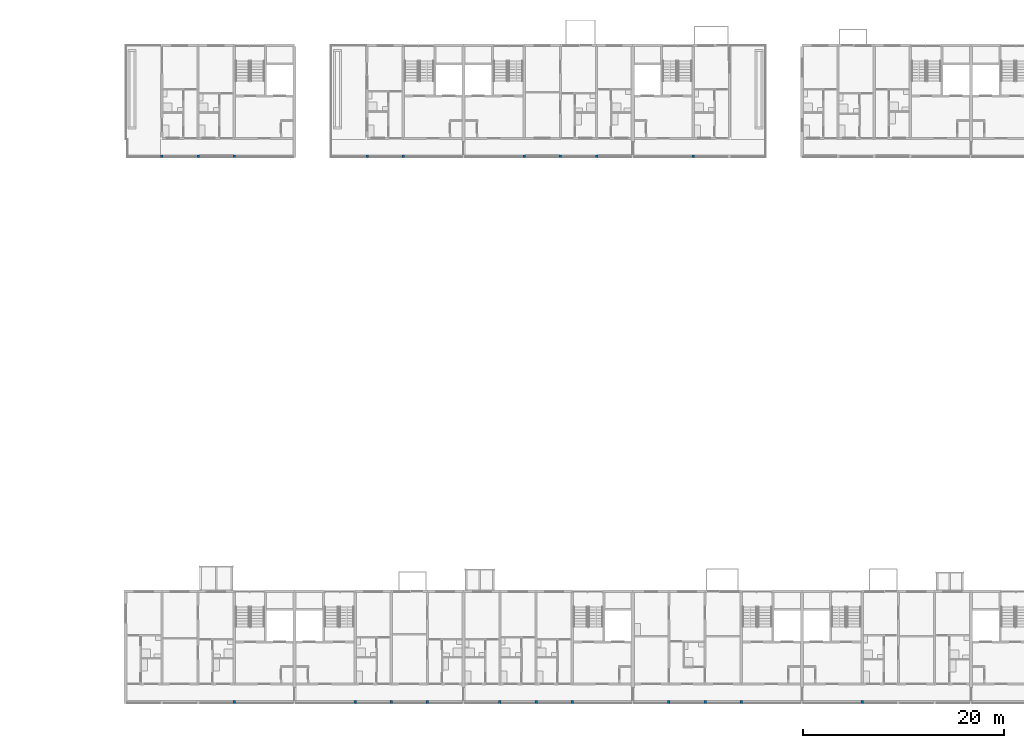
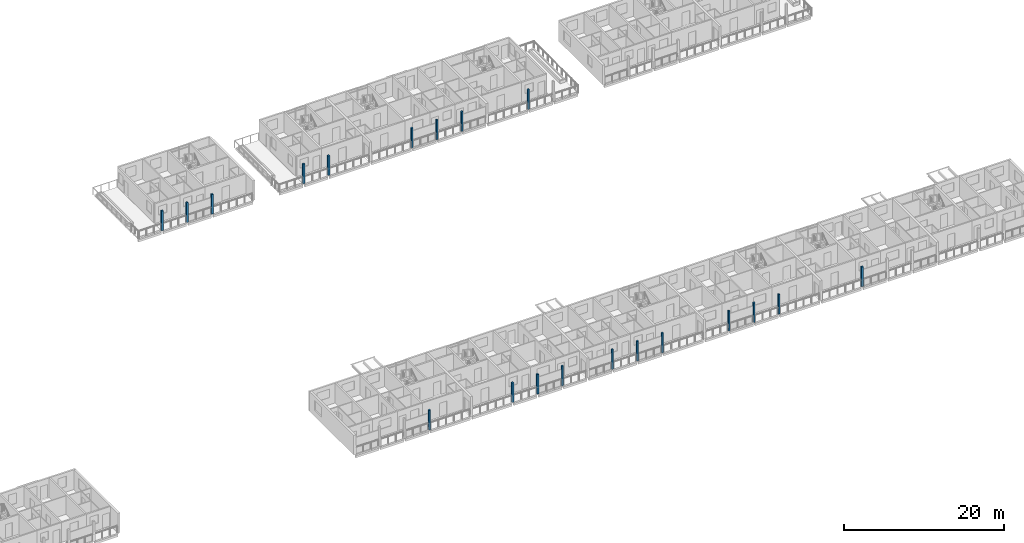
# One storey, part 3 of 94: 20 columns.
"""IFC4 building model written with IfcOpenShell, lengths in metres."""

import ifcopenshell
import ifcopenshell.guid

model = None  # the IFC model being written
_history = None  # IfcOwnerHistory: only IFC2X3 demands one
_inside = {}  # id of a spatial element -> (the spatial element, [elements in it])
_under = {}  # id of a project, library or spatial element -> (it, [spatial elements below it])
_declared = {}  # id of a project -> (the project, [libraries it declares])
_typed = {}  # id of a type object -> (the type object, [elements of that type])
_made_of = {}  # id of a material, layer set ... -> (it, [elements and type objects made of it])


def new_model(schema):
    """Start an empty IFC model of exactly this schema.

    Asked for "IFC4X3", IfcOpenShell would pick the latest addendum, in which some entities
    have other attributes; the version numbers below select the first issue.
    IFC2X3 requires an IfcOwnerHistory on every rooted entity: one is made here for all.
    """
    global model, _history
    if schema == "IFC4X3":
        model = ifcopenshell.file(schema_version=(4, 3, 0, 0))
    else:
        model = ifcopenshell.file(schema=schema)
    _inside.clear()
    _under.clear()
    _declared.clear()
    _typed.clear()
    _made_of.clear()
    _history = None
    if model.schema == "IFC2X3":
        org = make("IfcOrganization", Name="unknown")
        user = make(
            "IfcPersonAndOrganization",
            ThePerson=make("IfcPerson", FamilyName="unknown"),
            TheOrganization=org,
        )
        app = make(
            "IfcApplication",
            ApplicationDeveloper=org,
            Version="unknown",
            ApplicationFullName="unknown",
            ApplicationIdentifier="unknown",
        )
        _history = make(
            "IfcOwnerHistory",
            OwningUser=user,
            OwningApplication=app,
            ChangeAction="ADDED",
            CreationDate=0,
        )
    return model


def make(cls, **values):
    """One entity of the class cls with the attributes given. An attribute that is None is left unset."""
    return model.create_entity(
        cls, **{name: value for name, value in values.items() if value is not None}
    )


def rooted(cls, **values):
    """An entity with a GlobalId (a new one), such as an element, a storey or a relation."""
    return make(cls, GlobalId=ifcopenshell.guid.new(), OwnerHistory=_history, **values)


def si_unit(unit_type, name, prefix=None):
    """IfcSIUnit, for example si_unit("LENGTHUNIT", "METRE", prefix="MILLI")."""
    return make("IfcSIUnit", UnitType=unit_type, Prefix=prefix, Name=name)


def assignment(units):
    """IfcUnitAssignment: the units of a project."""
    return None if units is None else make("IfcUnitAssignment", Units=units)


def point(xyz):
    """IfcCartesianPoint."""
    return None if xyz is None else make("IfcCartesianPoint", Coordinates=xyz)


def direction(xyz):
    """IfcDirection."""
    return None if xyz is None else make("IfcDirection", DirectionRatios=xyz)


def frame(location, z_axis=None, x_axis=None):
    """IfcAxis2Placement3D, a coordinate frame: its origin and axes. An axis left out is left unset."""
    return make(
        "IfcAxis2Placement3D",
        Location=point(location),
        Axis=direction(z_axis),
        RefDirection=direction(x_axis),
    )


def frame_2d(location, x_axis=None):
    """IfcAxis2Placement2D, a coordinate frame in the plane: its origin and x axis."""
    return make(
        "IfcAxis2Placement2D", Location=point(location), RefDirection=direction(x_axis)
    )


def origin():
    """The frame at (0, 0, 0) with its axes left unset."""
    return frame((0.0, 0.0, 0.0))


def origin_2d():
    """The frame at (0, 0) in the plane with its x axis left unset."""
    return frame_2d((0.0, 0.0))


def place(relative_to, where):
    """IfcLocalPlacement: puts the frame where relative to a parent placement (None: the world)."""
    return make(
        "IfcLocalPlacement", PlacementRelTo=relative_to, RelativePlacement=where
    )


def context(
    kind, dimensions, precision=None, world=None, true_north=None, identifier=None
):
    """IfcGeometricRepresentationContext, for example the 3D "Model" context."""
    return make(
        "IfcGeometricRepresentationContext",
        ContextIdentifier=identifier,
        ContextType=kind,
        CoordinateSpaceDimension=dimensions,
        Precision=precision,
        WorldCoordinateSystem=world,
        TrueNorth=true_north,
    )


def subcontext(parent, identifier, kind, view, scale=None):
    """IfcGeometricRepresentationSubContext, for example "Body" below "Model"."""
    return make(
        "IfcGeometricRepresentationSubContext",
        ContextIdentifier=identifier,
        ContextType=kind,
        ParentContext=parent,
        TargetScale=scale,
        TargetView=view,
    )


def project(units=None, contexts=None):
    """IfcProject with its units and contexts."""
    return rooted(
        "IfcProject",
        Name="project",
        RepresentationContexts=contexts,
        UnitsInContext=assignment(units),
    )


def spatial(cls, under=None, at=None, **own):
    """A site, building, storey or space (cls), placed at a placement, below another one or the project."""
    s = rooted(cls, ObjectPlacement=at, **own)
    if under is not None:
        _under.setdefault(under.id(), (under, []))[1].append(s)
    return s


def profile(cls, at=None, kind="AREA", **sizes):
    """A parametric profile (cls). Its sizes go by their IFC names, for example OverallWidth=200.0."""
    return make(cls, ProfileType=kind, Position=at, **sizes)


def rectangle(**sizes):
    """IfcRectangleProfileDef."""
    return profile("IfcRectangleProfileDef", **sizes)


def extrude(swept, where, along, depth):
    """IfcExtrudedAreaSolid: the profile swept, set in the frame where, extruded along a direction by depth."""
    return make(
        "IfcExtrudedAreaSolid",
        SweptArea=swept,
        Position=where,
        ExtrudedDirection=direction(along),
        Depth=depth,
    )


def shape(context_of_items, identifier, shape_type, items):
    """IfcShapeRepresentation: the items that make up one representation, for example the "Body"."""
    return make(
        "IfcShapeRepresentation",
        ContextOfItems=context_of_items,
        RepresentationIdentifier=identifier,
        RepresentationType=shape_type,
        Items=items,
    )


def material(Name=None, Category=None):
    """IfcMaterial."""
    return make("IfcMaterial", Name=Name, Category=Category)


def material_profile(
    of_material, cross_section, Name=None, Category=None, Priority=None
):
    """IfcMaterialProfile: a cross section and its material."""
    return make(
        "IfcMaterialProfile",
        Name=Name,
        Material=of_material,
        Profile=cross_section,
        Priority=Priority,
        Category=Category,
    )


def profile_set(profiles, Name=None, composite=None):
    """IfcMaterialProfileSet."""
    return make(
        "IfcMaterialProfileSet",
        Name=Name,
        MaterialProfiles=profiles,
        CompositeProfile=composite,
    )


def made_of(thing, what):
    """Note that an element or type object is made of a material, layer set ...; save() writes the relation."""
    if what is not None:
        _made_of.setdefault(what.id(), (what, []))[1].append(thing)
    return thing


def type_object(cls, material=None, **own):
    """A type object (cls), such as IfcWallType, which elements share."""
    return made_of(rooted(cls, **own), material)


def element(
    cls,
    number,
    at=None,
    inside=None,
    cuts=None,
    type_object=None,
    material=None,
    context=None,
    identifier="Body",
    shape_type=None,
    held_by="IfcProductDefinitionShape",
    body=None,
    shapes=None,
    **own,
):
    """One element of the class cls, such as IfcWall. Its Tag is "e" and its number.

    at: its placement. inside: the storey or other place that contains it. cuts: it is an
    opening in that element (IfcRelVoidsElement). A single representation is given by context,
    identifier, shape_type and body (its items); several are given by shapes. held_by: the class
    of the entity that holds the representations. save() writes the other relations.
    """
    e = rooted(cls, Tag="e%d" % number, ObjectPlacement=at, **own)
    if body is not None:
        shapes = [shape(context, identifier, shape_type, body)]
    if shapes is not None:
        e.Representation = make(held_by, Representations=shapes)
    if inside is not None:
        _inside.setdefault(inside.id(), (inside, []))[1].append(e)
    if cuts is not None:
        rooted(
            "IfcRelVoidsElement", RelatingBuildingElement=cuts, RelatedOpeningElement=e
        )
    if type_object is not None:
        _typed.setdefault(type_object.id(), (type_object, []))[1].append(e)
    return made_of(e, material)


def aggregate(whole, parts):
    """IfcRelAggregates: a whole, such as a stair, and the parts it consists of."""
    return rooted("IfcRelAggregates", RelatingObject=whole, RelatedObjects=parts)


def save(model, path):
    """Write the relations noted so far, then the file.

    IfcRelAggregates (storeys below a building ...), IfcRelContainedInSpatialStructure (elements
    in a storey), IfcRelDefinesByType, IfcRelAssociatesMaterial and IfcRelDeclares: one each for
    every whole, place, type object, material and project.
    """
    for whole, parts in _under.values():
        aggregate(whole, parts)
    for where, things in _inside.values():
        rooted(
            "IfcRelContainedInSpatialStructure",
            RelatedElements=things,
            RelatingStructure=where,
        )
    for kind, things in _typed.values():
        rooted("IfcRelDefinesByType", RelatedObjects=things, RelatingType=kind)
    for what, things in _made_of.values():
        rooted("IfcRelAssociatesMaterial", RelatedObjects=things, RelatingMaterial=what)
    for by, libraries in _declared.values():
        rooted("IfcRelDeclares", RelatingContext=by, RelatedDefinitions=libraries)
    model.write(path)


model = new_model("IFC4")

# Units and contexts
model_context = context("Model", 3, precision=1e-05, world=origin(), true_north=direction((0.0, 1.0)))
body_context = subcontext(model_context, "Body", "Model", "MODEL_VIEW")
ifc_project = project(units=[si_unit("LENGTHUNIT", "METRE"), si_unit("AREAUNIT", "SQUARE_METRE"), si_unit("VOLUMEUNIT", "CUBIC_METRE"), si_unit("PLANEANGLEUNIT", "RADIAN"), si_unit("MASSUNIT", "GRAM", prefix="KILO")], contexts=[model_context])

# Site, building, storey
site_placement = place(None, origin())
site = spatial("IfcSite", under=ifc_project, at=site_placement, CompositionType="ELEMENT")
building_placement = place(site_placement, origin())
building = spatial("IfcBuilding", under=site, at=building_placement, Name="Ridgestep Commons", CompositionType="ELEMENT")
storey_placement = place(building_placement, frame((0.0, 0.0, 24.0)))
storey = spatial("IfcBuildingStorey", under=building, at=storey_placement, Name="L08", CompositionType="ELEMENT", Elevation=24.0)

# Columns
ifc_material = material(Name="Precast concrete C40/50", Category="concrete")
ifc_material_profile = material_profile(ifc_material, rectangle(XDim=0.25, YDim=0.25, at=origin_2d()), Name="PC 250x250")
ifc_profile_set = profile_set([ifc_material_profile], Name="Precast concrete C40/50")
column_type = type_object("IfcColumnType", Name="Loggia column 250 x 250", PredefinedType="COLUMN", material=ifc_profile_set)
for number, where, z_axis, x_axis, name in (
    (1, (150.39990234375, 66.125, 0.0), (0.0, 0.0, 1.0), (1.0, 0.0, 0.0), "Loggia column C L08"),
    (2, (154.0, 66.125, 0.0), (0.0, 0.0, 1.0), (1.0, 0.0, 0.0), "Loggia column C L08"),
    (3, (157.60009765625, 66.125, 0.0), (0.0, 0.0, 1.0), (1.0, 0.0, 0.0), "Loggia column C L08"),
    (4, (170.800048828125, 66.125, 0.0), (0.0, 0.0, 1.0), (1.0, 0.0, 0.0), "Loggia column C L08"),
    (5, (174.39990234375, 66.125, 0.0), (0.0, 0.0, 1.0), (1.0, 0.0, 0.0), "Loggia column C L08"),
    (6, (186.39990234375, 66.125, 0.0), (0.0, 0.0, 1.0), (1.0, 0.0, 0.0), "Loggia column C L08"),
    (7, (190.0, 66.125, 0.0), (0.0, 0.0, 1.0), (1.0, 0.0, 0.0), "Loggia column C L08"),
    (8, (193.60009765625, 66.125, 0.0), (0.0, 0.0, 1.0), (1.0, 0.0, 0.0), "Loggia column C L08"),
    (9, (203.199951171875, 66.125, 0.0), (0.0, 0.0, 1.0), (1.0, 0.0, 0.0), "Loggia column C L08"),
    (10, (157.60009765625, 11.875, 0.0), (0.0, 0.0, 1.0), (1.0, 0.0, 0.0), "Loggia column D L08"),
    (11, (169.60009765625, 11.875, 0.0), (0.0, 0.0, 1.0), (1.0, 0.0, 0.0), "Loggia column D L08"),
    (12, (173.199951171875, 11.875, 0.0), (0.0, 0.0, 1.0), (1.0, 0.0, 0.0), "Loggia column D L08"),
    (13, (176.800048828125, 11.875, 0.0), (0.0, 0.0, 1.0), (1.0, 0.0, 0.0), "Loggia column D L08"),
    (14, (184.0, 11.875, 0.0), (0.0, 0.0, 1.0), (1.0, 0.0, 0.0), "Loggia column D L08"),
    (15, (187.60009765625, 11.875, 0.0), (0.0, 0.0, 1.0), (1.0, 0.0, 0.0), "Loggia column D L08"),
    (16, (191.199951171875, 11.875, 0.0), (0.0, 0.0, 1.0), (1.0, 0.0, 0.0), "Loggia column D L08"),
    (17, (200.800048828125, 11.875, 0.0), (0.0, 0.0, 1.0), (1.0, 0.0, 0.0), "Loggia column D L08"),
    (18, (204.39990234375, 11.875, 0.0), (0.0, 0.0, 1.0), (1.0, 0.0, 0.0), "Loggia column D L08"),
    (19, (208.0, 11.875, 0.0), (0.0, 0.0, 1.0), (1.0, 0.0, 0.0), "Loggia column D L08"),
    (20, (220.0, 11.875, 0.0), (0.0, 0.0, 1.0), (1.0, 0.0, 0.0), "Loggia column D L08"),
):
    element("IfcColumn", number, at=place(storey_placement, frame(where, z_axis=z_axis, x_axis=x_axis)), inside=storey, type_object=column_type, Name=name, PredefinedType="COLUMN", context=body_context, shape_type="SweptSolid", body=[
        extrude(rectangle(XDim=0.25, YDim=0.25, at=origin_2d()), origin(), (0.0, 0.0, 1.0), 3.0),
    ])

save(model, "model.ifc")
